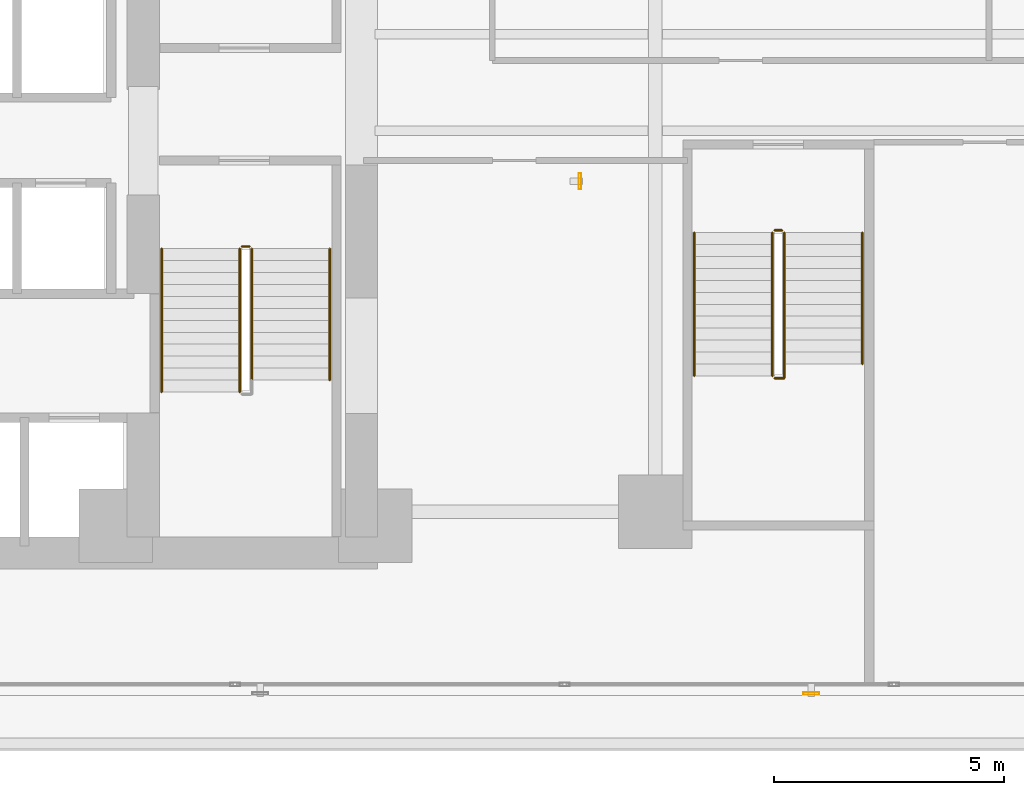
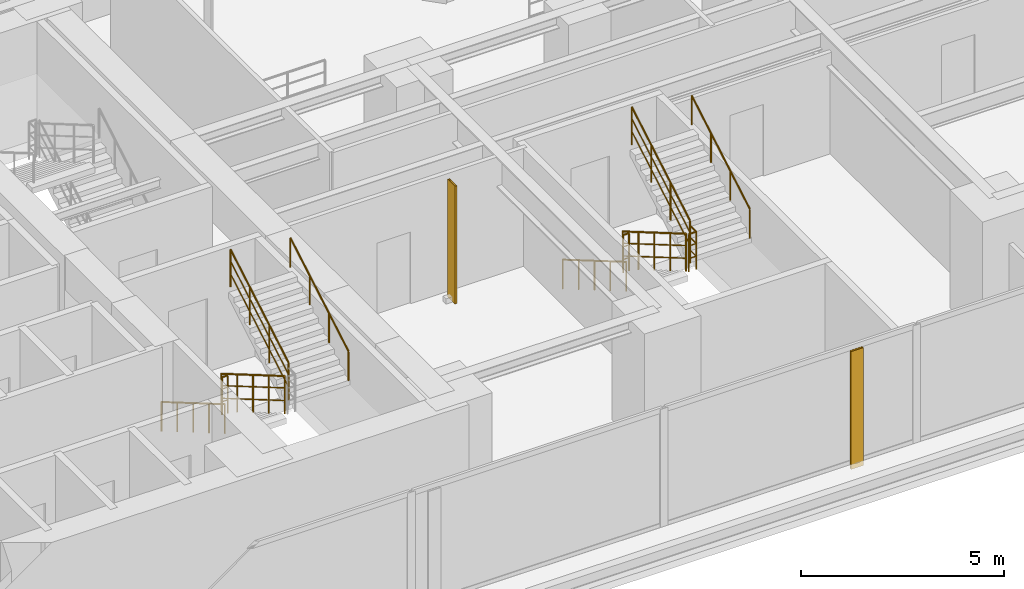
# One storey, part 27 of 29: 11 railings, 2 shading devices.
"""IFC4 building model written with IfcOpenShell, lengths in metres."""

import ifcopenshell
import ifcopenshell.guid

model = None  # the IFC model being written
_history = None  # IfcOwnerHistory: only IFC2X3 demands one
_inside = {}  # id of a spatial element -> (the spatial element, [elements in it])
_under = {}  # id of a project, library or spatial element -> (it, [spatial elements below it])
_declared = {}  # id of a project -> (the project, [libraries it declares])
_typed = {}  # id of a type object -> (the type object, [elements of that type])
_made_of = {}  # id of a material, layer set ... -> (it, [elements and type objects made of it])


def new_model(schema):
    """Start an empty IFC model of exactly this schema.

    Asked for "IFC4X3", IfcOpenShell would pick the latest addendum, in which some entities
    have other attributes; the version numbers below select the first issue.
    IFC2X3 requires an IfcOwnerHistory on every rooted entity: one is made here for all.
    """
    global model, _history
    if schema == "IFC4X3":
        model = ifcopenshell.file(schema_version=(4, 3, 0, 0))
    else:
        model = ifcopenshell.file(schema=schema)
    _inside.clear()
    _under.clear()
    _declared.clear()
    _typed.clear()
    _made_of.clear()
    _history = None
    if model.schema == "IFC2X3":
        org = make("IfcOrganization", Name="unknown")
        user = make(
            "IfcPersonAndOrganization",
            ThePerson=make("IfcPerson", FamilyName="unknown"),
            TheOrganization=org,
        )
        app = make(
            "IfcApplication",
            ApplicationDeveloper=org,
            Version="unknown",
            ApplicationFullName="unknown",
            ApplicationIdentifier="unknown",
        )
        _history = make(
            "IfcOwnerHistory",
            OwningUser=user,
            OwningApplication=app,
            ChangeAction="ADDED",
            CreationDate=0,
        )
    return model


def make(cls, **values):
    """One entity of the class cls with the attributes given. An attribute that is None is left unset."""
    return model.create_entity(
        cls, **{name: value for name, value in values.items() if value is not None}
    )


def rooted(cls, **values):
    """An entity with a GlobalId (a new one), such as an element, a storey or a relation."""
    return make(cls, GlobalId=ifcopenshell.guid.new(), OwnerHistory=_history, **values)


def si_unit(unit_type, name, prefix=None):
    """IfcSIUnit, for example si_unit("LENGTHUNIT", "METRE", prefix="MILLI")."""
    return make("IfcSIUnit", UnitType=unit_type, Prefix=prefix, Name=name)


def assignment(units):
    """IfcUnitAssignment: the units of a project."""
    return None if units is None else make("IfcUnitAssignment", Units=units)


def point(xyz):
    """IfcCartesianPoint."""
    return None if xyz is None else make("IfcCartesianPoint", Coordinates=xyz)


def direction(xyz):
    """IfcDirection."""
    return None if xyz is None else make("IfcDirection", DirectionRatios=xyz)


def frame(location, z_axis=None, x_axis=None):
    """IfcAxis2Placement3D, a coordinate frame: its origin and axes. An axis left out is left unset."""
    return make(
        "IfcAxis2Placement3D",
        Location=point(location),
        Axis=direction(z_axis),
        RefDirection=direction(x_axis),
    )


def frame_2d(location, x_axis=None):
    """IfcAxis2Placement2D, a coordinate frame in the plane: its origin and x axis."""
    return make(
        "IfcAxis2Placement2D", Location=point(location), RefDirection=direction(x_axis)
    )


def origin():
    """The frame at (0, 0, 0) with its axes left unset."""
    return frame((0.0, 0.0, 0.0))


def origin_2d():
    """The frame at (0, 0) in the plane with its x axis left unset."""
    return frame_2d((0.0, 0.0))


def place(relative_to, where):
    """IfcLocalPlacement: puts the frame where relative to a parent placement (None: the world)."""
    return make(
        "IfcLocalPlacement", PlacementRelTo=relative_to, RelativePlacement=where
    )


def context(
    kind, dimensions, precision=None, world=None, true_north=None, identifier=None
):
    """IfcGeometricRepresentationContext, for example the 3D "Model" context."""
    return make(
        "IfcGeometricRepresentationContext",
        ContextIdentifier=identifier,
        ContextType=kind,
        CoordinateSpaceDimension=dimensions,
        Precision=precision,
        WorldCoordinateSystem=world,
        TrueNorth=true_north,
    )


def subcontext(parent, identifier, kind, view, scale=None):
    """IfcGeometricRepresentationSubContext, for example "Body" below "Model"."""
    return make(
        "IfcGeometricRepresentationSubContext",
        ContextIdentifier=identifier,
        ContextType=kind,
        ParentContext=parent,
        TargetScale=scale,
        TargetView=view,
    )


def project(units=None, contexts=None):
    """IfcProject with its units and contexts."""
    return rooted(
        "IfcProject",
        Name="project",
        RepresentationContexts=contexts,
        UnitsInContext=assignment(units),
    )


def spatial(cls, under=None, at=None, **own):
    """A site, building, storey or space (cls), placed at a placement, below another one or the project."""
    s = rooted(cls, ObjectPlacement=at, **own)
    if under is not None:
        _under.setdefault(under.id(), (under, []))[1].append(s)
    return s


def profile(cls, at=None, kind="AREA", **sizes):
    """A parametric profile (cls). Its sizes go by their IFC names, for example OverallWidth=200.0."""
    return make(cls, ProfileType=kind, Position=at, **sizes)


def hollow_rectangle(**sizes):
    """IfcRectangleHollowProfileDef."""
    return profile("IfcRectangleHollowProfileDef", **sizes)


def circle(**sizes):
    """IfcCircleProfileDef."""
    return profile("IfcCircleProfileDef", **sizes)


def extrude(swept, where, along, depth):
    """IfcExtrudedAreaSolid: the profile swept, set in the frame where, extruded along a direction by depth."""
    return make(
        "IfcExtrudedAreaSolid",
        SweptArea=swept,
        Position=where,
        ExtrudedDirection=direction(along),
        Depth=depth,
    )


def shape(context_of_items, identifier, shape_type, items):
    """IfcShapeRepresentation: the items that make up one representation, for example the "Body"."""
    return make(
        "IfcShapeRepresentation",
        ContextOfItems=context_of_items,
        RepresentationIdentifier=identifier,
        RepresentationType=shape_type,
        Items=items,
    )


def material(Name=None, Category=None):
    """IfcMaterial."""
    return make("IfcMaterial", Name=Name, Category=Category)


def material_profile(
    of_material, cross_section, Name=None, Category=None, Priority=None
):
    """IfcMaterialProfile: a cross section and its material."""
    return make(
        "IfcMaterialProfile",
        Name=Name,
        Material=of_material,
        Profile=cross_section,
        Priority=Priority,
        Category=Category,
    )


def profile_set(profiles, Name=None, composite=None):
    """IfcMaterialProfileSet."""
    return make(
        "IfcMaterialProfileSet",
        Name=Name,
        MaterialProfiles=profiles,
        CompositeProfile=composite,
    )


def made_of(thing, what):
    """Note that an element or type object is made of a material, layer set ...; save() writes the relation."""
    if what is not None:
        _made_of.setdefault(what.id(), (what, []))[1].append(thing)
    return thing


def type_object(cls, material=None, **own):
    """A type object (cls), such as IfcWallType, which elements share."""
    return made_of(rooted(cls, **own), material)


def element(
    cls,
    number,
    at=None,
    inside=None,
    cuts=None,
    type_object=None,
    material=None,
    context=None,
    identifier="Body",
    shape_type=None,
    held_by="IfcProductDefinitionShape",
    body=None,
    shapes=None,
    **own,
):
    """One element of the class cls, such as IfcWall. Its Tag is "e" and its number.

    at: its placement. inside: the storey or other place that contains it. cuts: it is an
    opening in that element (IfcRelVoidsElement). A single representation is given by context,
    identifier, shape_type and body (its items); several are given by shapes. held_by: the class
    of the entity that holds the representations. save() writes the other relations.
    """
    e = rooted(cls, Tag="e%d" % number, ObjectPlacement=at, **own)
    if body is not None:
        shapes = [shape(context, identifier, shape_type, body)]
    if shapes is not None:
        e.Representation = make(held_by, Representations=shapes)
    if inside is not None:
        _inside.setdefault(inside.id(), (inside, []))[1].append(e)
    if cuts is not None:
        rooted(
            "IfcRelVoidsElement", RelatingBuildingElement=cuts, RelatedOpeningElement=e
        )
    if type_object is not None:
        _typed.setdefault(type_object.id(), (type_object, []))[1].append(e)
    return made_of(e, material)


def aggregate(whole, parts):
    """IfcRelAggregates: a whole, such as a stair, and the parts it consists of."""
    return rooted("IfcRelAggregates", RelatingObject=whole, RelatedObjects=parts)


def save(model, path):
    """Write the relations noted so far, then the file.

    IfcRelAggregates (storeys below a building ...), IfcRelContainedInSpatialStructure (elements
    in a storey), IfcRelDefinesByType, IfcRelAssociatesMaterial and IfcRelDeclares: one each for
    every whole, place, type object, material and project.
    """
    for whole, parts in _under.values():
        aggregate(whole, parts)
    for where, things in _inside.values():
        rooted(
            "IfcRelContainedInSpatialStructure",
            RelatedElements=things,
            RelatingStructure=where,
        )
    for kind, things in _typed.values():
        rooted("IfcRelDefinesByType", RelatedObjects=things, RelatingType=kind)
    for what, things in _made_of.values():
        rooted("IfcRelAssociatesMaterial", RelatedObjects=things, RelatingMaterial=what)
    for by, libraries in _declared.values():
        rooted("IfcRelDeclares", RelatingContext=by, RelatedDefinitions=libraries)
    model.write(path)


model = new_model("IFC4")

# Units and contexts
model_context = context("Model", 3, precision=1e-05, world=origin(), true_north=direction((0.0, 1.0)))
body_context = subcontext(model_context, "Body", "Model", "MODEL_VIEW")
ifc_project = project(units=[si_unit("LENGTHUNIT", "METRE"), si_unit("AREAUNIT", "SQUARE_METRE"), si_unit("VOLUMEUNIT", "CUBIC_METRE"), si_unit("PLANEANGLEUNIT", "RADIAN"), si_unit("MASSUNIT", "GRAM", prefix="KILO")], contexts=[model_context])

# Site, building, storey
site_placement = place(None, origin())
site = spatial("IfcSite", under=ifc_project, at=site_placement, CompositionType="ELEMENT")
building_placement = place(site_placement, origin())
building = spatial("IfcBuilding", under=site, at=building_placement, Name="Kolvaren Waterfront Exchange", CompositionType="ELEMENT")
storey_placement = place(building_placement, frame((0.0, 0.0, 29.60009765625)))
storey = spatial("IfcBuildingStorey", under=building, at=storey_placement, Name="L07", CompositionType="ELEMENT", Elevation=29.60009765625)

# Shading devices
ifc_material_1 = material(Name="Anodised bronze aluminium 6063-T6", Category="aluminium")
ifc_material_profile = material_profile(ifc_material_1, hollow_rectangle(XDim=0.06005859375, YDim=0.35009765625, WallThickness=0.0048828125, at=origin_2d()), Name="BRZ-FIN-350x60x5")
ifc_profile_set = profile_set([ifc_material_profile], Name="Anodised bronze aluminium 6063-T6")
shading_device_type = type_object("IfcShadingDeviceType", Name="ARC-FIN-350", PredefinedType="USERDEFINED", material=ifc_profile_set)
for number, where, z_axis, x_axis, name in (
    (1, (30.60009765625, 1.239990234375, 0.0), (0.0, 0.0, 1.0), (0.0, -1.0, 0.0), "L07 anodised bronze solar shading fin FIN-L07-S3"),
    (2, (25.56005859375, 12.39990234375, 0.0), (0.0, 0.0, 1.0), (1.0, 0.0, 0.0), "L07 anodised bronze solar shading fin FIN-L07-E1"),
):
    element("IfcShadingDevice", number, at=place(storey_placement, frame(where, z_axis=z_axis, x_axis=x_axis)), inside=storey, type_object=shading_device_type, Name=name, ObjectType="SOLAR FIN", PredefinedType="USERDEFINED", context=body_context, shape_type="SweptSolid", body=[
        extrude(hollow_rectangle(XDim=0.06005859375, YDim=0.35009765625, WallThickness=0.0048828125, at=origin_2d()), origin(), (0.0, 0.0, 1.0), 3.539794921875),
    ])

# Railings
ifc_material_2 = material(Name="Stainless steel 316", Category="steel")
railing_type_1 = type_object("IfcRailingType", Name="ARC-GUARD-STAIR", PredefinedType="GUARDRAIL", material=ifc_material_2)
railing_1_placement = place(storey_placement, frame((18.14990234375, 10.929931640625, 0.15185546875)))
element("IfcRailing", 3, at=railing_1_placement, inside=storey, type_object=railing_type_1, Name="L07 ST1 stair guard 1", PredefinedType="GUARDRAIL", context=body_context, shape_type="SweptSolid", body=[
    extrude(circle(Radius=0.02392578125, at=origin_2d()), frame((0.0, 0.0, 1.1259765625), z_axis=(0.0, -0.86329090724, 0.504706656858), x_axis=(1.0, 0.0, 0.0)), (0.0, 0.0, 1.0), 3.614013671875),
    extrude(circle(Radius=0.01611328125, at=origin_2d()), frame((0.0, 0.0, 0.390869140625), z_axis=(0.0, -0.86329090724, 0.504706656858), x_axis=(1.0, 0.0, 0.0)), (0.0, 0.0, 1.0), 3.614013671875),
    extrude(circle(Radius=0.01611328125, at=origin_2d()), frame((0.0, 0.0, 0.7705078125), z_axis=(0.0, -0.86329090724, 0.504706656858), x_axis=(1.0, 0.0, 0.0)), (0.0, 0.0, 1.0), 3.614013671875),
    extrude(circle(Radius=0.02099609375, at=origin_2d()), origin(), (0.0, 0.0, 1.0), 1.101806640625),
    extrude(circle(Radius=0.02099609375, at=origin_2d()), frame((0.0, -0.780029296875, 0.4560546875)), (0.0, 0.0, 1.0), 1.101806640625),
    extrude(circle(Radius=0.02099609375, at=origin_2d()), frame((0.0, -1.56005859375, 0.912109375)), (0.0, 0.0, 1.0), 1.101806640625),
    extrude(circle(Radius=0.02099609375, at=origin_2d()), frame((0.0, -2.33984375, 1.367919921875)), (0.0, 0.0, 1.0), 1.101806640625),
    extrude(circle(Radius=0.02099609375, at=origin_2d()), frame((0.0, -3.119873046875, 1.823974609375)), (0.0, 0.0, 1.0), 1.101806640625),
])
railing_2_placement = place(storey_placement, frame((18.409912109375, 8.070068359375, 2.1279296875)))
element("IfcRailing", 4, at=railing_2_placement, inside=storey, type_object=railing_type_1, Name="L07 ST1 stair guard 3", PredefinedType="GUARDRAIL", context=body_context, shape_type="SweptSolid", body=[
    extrude(circle(Radius=0.02392578125, at=origin_2d()), frame((0.0, 0.0, 1.1259765625), z_axis=(0.0, 0.86330272217, 0.504686447108), x_axis=(-1.0, 0.0, 0.0)), (0.0, 0.0, 1.0), 3.312744140625),
    extrude(circle(Radius=0.01611328125, at=origin_2d()), frame((0.0, 0.0, 0.390869140625), z_axis=(0.0, 0.86330272217, 0.504686447108), x_axis=(-1.0, 0.0, 0.0)), (0.0, 0.0, 1.0), 3.312744140625),
    extrude(circle(Radius=0.01611328125, at=origin_2d()), frame((0.0, 0.0, 0.7705078125), z_axis=(0.0, 0.86330272217, 0.504686447108), x_axis=(-1.0, 0.0, 0.0)), (0.0, 0.0, 1.0), 3.312744140625),
    extrude(circle(Radius=0.02099609375, at=origin_2d()), origin(), (0.0, 0.0, 1.0), 1.101806640625),
    extrude(circle(Radius=0.02099609375, at=origin_2d()), frame((0.0, 0.953369140625, 0.557373046875)), (0.0, 0.0, 1.0), 1.101806640625),
    extrude(circle(Radius=0.02099609375, at=origin_2d()), frame((0.0, 1.906494140625, 1.114501953125)), (0.0, 0.0, 1.0), 1.101806640625),
    extrude(circle(Radius=0.02099609375, at=origin_2d()), frame((0.0, 2.85986328125, 1.671875)), (0.0, 0.0, 1.0), 1.101806640625),
])
railing_3_placement = place(storey_placement, frame((18.199951171875, 10.97998046875, 0.0)))
element("IfcRailing", 5, at=railing_3_placement, inside=storey, type_object=railing_type_1, Name="L07 ST1 stair guard 4", PredefinedType="GUARDRAIL", context=body_context, shape_type="SweptSolid", body=[
    extrude(circle(Radius=0.02392578125, at=origin_2d()), frame((0.0, 0.0, 1.1259765625), z_axis=(1.0, 0.0, 0.0), x_axis=(0.0, 1.0, 0.0)), (0.0, 0.0, 1.0), 0.16015625),
    extrude(circle(Radius=0.01611328125, at=origin_2d()), frame((0.0, 0.0, 0.390869140625), z_axis=(1.0, 0.0, 0.0), x_axis=(0.0, 1.0, 0.0)), (0.0, 0.0, 1.0), 0.16015625),
    extrude(circle(Radius=0.01611328125, at=origin_2d()), frame((0.0, 0.0, 0.7705078125), z_axis=(1.0, 0.0, 0.0), x_axis=(0.0, 1.0, 0.0)), (0.0, 0.0, 1.0), 0.16015625),
    extrude(circle(Radius=0.02099609375, at=origin_2d()), origin(), (0.0, 0.0, 1.0), 1.101806640625),
    extrude(circle(Radius=0.02099609375, at=origin_2d()), frame((0.16015625, 0.0, 0.0)), (0.0, 0.0, 1.0), 1.101806640625),
])
railing_4_placement = place(storey_placement, frame((29.75, 11.280029296875, 0.15185546875)))
element("IfcRailing", 6, at=railing_4_placement, inside=storey, type_object=railing_type_1, Name="L07 ST3 stair guard 1", PredefinedType="GUARDRAIL", context=body_context, shape_type="SweptSolid", body=[
    extrude(circle(Radius=0.02392578125, at=origin_2d()), frame((0.0, 0.0, 1.1259765625), z_axis=(0.0, -0.86330811405, 0.504677223793), x_axis=(1.0, 0.0, 0.0)), (0.0, 0.0, 1.0), 3.6142578125),
    extrude(circle(Radius=0.01611328125, at=origin_2d()), frame((0.0, 0.0, 0.390869140625), z_axis=(0.0, -0.86330811405, 0.504677223793), x_axis=(1.0, 0.0, 0.0)), (0.0, 0.0, 1.0), 3.6142578125),
    extrude(circle(Radius=0.01611328125, at=origin_2d()), frame((0.0, 0.0, 0.7705078125), z_axis=(0.0, -0.86330811405, 0.504677223793), x_axis=(1.0, 0.0, 0.0)), (0.0, 0.0, 1.0), 3.6142578125),
    extrude(circle(Radius=0.02099609375, at=origin_2d()), origin(), (0.0, 0.0, 1.0), 1.101806640625),
    extrude(circle(Radius=0.02099609375, at=origin_2d()), frame((0.0, -0.780029296875, 0.4560546875)), (0.0, 0.0, 1.0), 1.101806640625),
    extrude(circle(Radius=0.02099609375, at=origin_2d()), frame((0.0, -1.56005859375, 0.912109375)), (0.0, 0.0, 1.0), 1.101806640625),
    extrude(circle(Radius=0.02099609375, at=origin_2d()), frame((0.0, -2.340087890625, 1.367919921875)), (0.0, 0.0, 1.0), 1.101806640625),
    extrude(circle(Radius=0.02099609375, at=origin_2d()), frame((0.0, -3.1201171875, 1.823974609375)), (0.0, 0.0, 1.0), 1.101806640625),
])
railing_5_placement = place(storey_placement, frame((29.800048828125, 8.110107421875, 1.975830078125)))
element("IfcRailing", 7, at=railing_5_placement, inside=storey, type_object=railing_type_1, Name="L07 ST3 stair guard 2", PredefinedType="GUARDRAIL", context=body_context, shape_type="SweptSolid", body=[
    extrude(circle(Radius=0.02392578125, at=origin_2d()), frame((0.0, 0.0, 1.1259765625), z_axis=(1.0, 0.0, 0.0), x_axis=(0.0, 1.0, 0.0)), (0.0, 0.0, 1.0), 0.2099609375),
    extrude(circle(Radius=0.01611328125, at=origin_2d()), frame((0.0, 0.0, 0.390869140625), z_axis=(1.0, 0.0, 0.0), x_axis=(0.0, 1.0, 0.0)), (0.0, 0.0, 1.0), 0.2099609375),
    extrude(circle(Radius=0.01611328125, at=origin_2d()), frame((0.0, 0.0, 0.7705078125), z_axis=(1.0, 0.0, 0.0), x_axis=(0.0, 1.0, 0.0)), (0.0, 0.0, 1.0), 0.2099609375),
    extrude(circle(Radius=0.02392578125, at=origin_2d()), frame((0.2099609375, 0.0, 1.1259765625), z_axis=(0.0, 1.0, 0.0), x_axis=(-1.0, 0.0, 0.0)), (0.0, 0.0, 1.0), 0.309814453125),
    extrude(circle(Radius=0.01611328125, at=origin_2d()), frame((0.2099609375, 0.0, 0.390869140625), z_axis=(0.0, 1.0, 0.0), x_axis=(-1.0, 0.0, 0.0)), (0.0, 0.0, 1.0), 0.309814453125),
    extrude(circle(Radius=0.01611328125, at=origin_2d()), frame((0.2099609375, 0.0, 0.7705078125), z_axis=(0.0, 1.0, 0.0), x_axis=(-1.0, 0.0, 0.0)), (0.0, 0.0, 1.0), 0.309814453125),
    extrude(circle(Radius=0.02099609375, at=origin_2d()), origin(), (0.0, 0.0, 1.0), 1.101806640625),
    extrude(circle(Radius=0.02099609375, at=origin_2d()), frame((0.2099609375, 0.0, 0.0)), (0.0, 0.0, 1.0), 1.101806640625),
    extrude(circle(Radius=0.02099609375, at=origin_2d()), frame((0.2099609375, 0.309814453125, 0.0)), (0.0, 0.0, 1.0), 1.101806640625),
])
railing_6_placement = place(storey_placement, frame((30.010009765625, 8.419921875, 2.1279296875)))
element("IfcRailing", 8, at=railing_6_placement, inside=storey, type_object=railing_type_1, Name="L07 ST3 stair guard 3", PredefinedType="GUARDRAIL", context=body_context, shape_type="SweptSolid", body=[
    extrude(circle(Radius=0.02392578125, at=origin_2d()), frame((0.0, 0.0, 1.1259765625), z_axis=(0.0, 0.863321491973, 0.504654338629), x_axis=(-1.0, 0.0, 0.0)), (0.0, 0.0, 1.0), 3.31298828125),
    extrude(circle(Radius=0.01611328125, at=origin_2d()), frame((0.0, 0.0, 0.390869140625), z_axis=(0.0, 0.863321491973, 0.504654338629), x_axis=(-1.0, 0.0, 0.0)), (0.0, 0.0, 1.0), 3.31298828125),
    extrude(circle(Radius=0.01611328125, at=origin_2d()), frame((0.0, 0.0, 0.7705078125), z_axis=(0.0, 0.863321491973, 0.504654338629), x_axis=(-1.0, 0.0, 0.0)), (0.0, 0.0, 1.0), 3.31298828125),
    extrude(circle(Radius=0.02099609375, at=origin_2d()), origin(), (0.0, 0.0, 1.0), 1.101806640625),
    extrude(circle(Radius=0.02099609375, at=origin_2d()), frame((0.0, 0.953369140625, 0.557373046875)), (0.0, 0.0, 1.0), 1.101806640625),
    extrude(circle(Radius=0.02099609375, at=origin_2d()), frame((0.0, 1.90673828125, 1.114501953125)), (0.0, 0.0, 1.0), 1.101806640625),
    extrude(circle(Radius=0.02099609375, at=origin_2d()), frame((0.0, 2.860107421875, 1.671875)), (0.0, 0.0, 1.0), 1.101806640625),
])
railing_7_placement = place(storey_placement, frame((29.800048828125, 11.330078125, 0.0)))
element("IfcRailing", 9, at=railing_7_placement, inside=storey, type_object=railing_type_1, Name="L07 ST3 stair guard 4", PredefinedType="GUARDRAIL", context=body_context, shape_type="SweptSolid", body=[
    extrude(circle(Radius=0.02392578125, at=origin_2d()), frame((0.0, 0.0, 1.1259765625), z_axis=(1.0, 0.0, 0.0), x_axis=(0.0, 1.0, 0.0)), (0.0, 0.0, 1.0), 0.159912109375),
    extrude(circle(Radius=0.01611328125, at=origin_2d()), frame((0.0, 0.0, 0.390869140625), z_axis=(1.0, 0.0, 0.0), x_axis=(0.0, 1.0, 0.0)), (0.0, 0.0, 1.0), 0.159912109375),
    extrude(circle(Radius=0.01611328125, at=origin_2d()), frame((0.0, 0.0, 0.7705078125), z_axis=(1.0, 0.0, 0.0), x_axis=(0.0, 1.0, 0.0)), (0.0, 0.0, 1.0), 0.159912109375),
    extrude(circle(Radius=0.02099609375, at=origin_2d()), origin(), (0.0, 0.0, 1.0), 1.101806640625),
    extrude(circle(Radius=0.02099609375, at=origin_2d()), frame((0.159912109375, 0.0, 0.0)), (0.0, 0.0, 1.0), 1.101806640625),
])
railing_type_2 = type_object("IfcRailingType", Name="ARC-HANDRAIL-900", PredefinedType="HANDRAIL", material=ifc_material_2)
railing_8_placement = place(storey_placement, frame((16.449951171875, 10.929931640625, 0.15185546875)))
element("IfcRailing", 10, at=railing_8_placement, inside=storey, type_object=railing_type_2, Name="L07 ST1 stair handrail 1", PredefinedType="HANDRAIL", context=body_context, shape_type="SweptSolid", body=[
    extrude(circle(Radius=0.02392578125, at=origin_2d()), frame((0.0, 0.0, 0.8759765625), z_axis=(0.0, -0.86329090724, 0.504706656858), x_axis=(1.0, 0.0, 0.0)), (0.0, 0.0, 1.0), 3.614013671875),
    extrude(circle(Radius=0.02099609375, at=origin_2d()), origin(), (0.0, 0.0, 1.0), 0.851806640625),
    extrude(circle(Radius=0.02099609375, at=origin_2d()), frame((0.0, -0.780029296875, 0.4560546875)), (0.0, 0.0, 1.0), 0.851806640625),
    extrude(circle(Radius=0.02099609375, at=origin_2d()), frame((0.0, -1.56005859375, 0.912109375)), (0.0, 0.0, 1.0), 0.851806640625),
    extrude(circle(Radius=0.02099609375, at=origin_2d()), frame((0.0, -2.33984375, 1.367919921875)), (0.0, 0.0, 1.0), 0.851806640625),
    extrude(circle(Radius=0.02099609375, at=origin_2d()), frame((0.0, -3.119873046875, 1.823974609375)), (0.0, 0.0, 1.0), 0.851806640625),
])
railing_9_placement = place(storey_placement, frame((20.110107421875, 8.070068359375, 2.1279296875)))
element("IfcRailing", 11, at=railing_9_placement, inside=storey, type_object=railing_type_2, Name="L07 ST1 stair handrail 2", PredefinedType="HANDRAIL", context=body_context, shape_type="SweptSolid", body=[
    extrude(circle(Radius=0.02392578125, at=origin_2d()), frame((0.0, 0.0, 0.8759765625), z_axis=(0.0, 0.86330272217, 0.504686447108), x_axis=(-1.0, 0.0, 0.0)), (0.0, 0.0, 1.0), 3.312744140625),
    extrude(circle(Radius=0.02099609375, at=origin_2d()), origin(), (0.0, 0.0, 1.0), 0.851806640625),
    extrude(circle(Radius=0.02099609375, at=origin_2d()), frame((0.0, 0.953369140625, 0.557373046875)), (0.0, 0.0, 1.0), 0.851806640625),
    extrude(circle(Radius=0.02099609375, at=origin_2d()), frame((0.0, 1.906494140625, 1.114501953125)), (0.0, 0.0, 1.0), 0.851806640625),
    extrude(circle(Radius=0.02099609375, at=origin_2d()), frame((0.0, 2.85986328125, 1.671875)), (0.0, 0.0, 1.0), 0.851806640625),
])
railing_10_placement = place(storey_placement, frame((28.050048828125, 11.280029296875, 0.15185546875)))
element("IfcRailing", 12, at=railing_10_placement, inside=storey, type_object=railing_type_2, Name="L07 ST3 stair handrail 1", PredefinedType="HANDRAIL", context=body_context, shape_type="SweptSolid", body=[
    extrude(circle(Radius=0.02392578125, at=origin_2d()), frame((0.0, 0.0, 0.8759765625), z_axis=(0.0, -0.86330811405, 0.504677223793), x_axis=(1.0, 0.0, 0.0)), (0.0, 0.0, 1.0), 3.6142578125),
    extrude(circle(Radius=0.02099609375, at=origin_2d()), origin(), (0.0, 0.0, 1.0), 0.851806640625),
    extrude(circle(Radius=0.02099609375, at=origin_2d()), frame((0.0, -0.780029296875, 0.4560546875)), (0.0, 0.0, 1.0), 0.851806640625),
    extrude(circle(Radius=0.02099609375, at=origin_2d()), frame((0.0, -1.56005859375, 0.912109375)), (0.0, 0.0, 1.0), 0.851806640625),
    extrude(circle(Radius=0.02099609375, at=origin_2d()), frame((0.0, -2.340087890625, 1.367919921875)), (0.0, 0.0, 1.0), 0.851806640625),
    extrude(circle(Radius=0.02099609375, at=origin_2d()), frame((0.0, -3.1201171875, 1.823974609375)), (0.0, 0.0, 1.0), 0.851806640625),
])
railing_11_placement = place(storey_placement, frame((31.7099609375, 8.419921875, 2.1279296875)))
element("IfcRailing", 13, at=railing_11_placement, inside=storey, type_object=railing_type_2, Name="L07 ST3 stair handrail 2", PredefinedType="HANDRAIL", context=body_context, shape_type="SweptSolid", body=[
    extrude(circle(Radius=0.02392578125, at=origin_2d()), frame((0.0, 0.0, 0.8759765625), z_axis=(0.0, 0.863321491973, 0.504654338629), x_axis=(-1.0, 0.0, 0.0)), (0.0, 0.0, 1.0), 3.31298828125),
    extrude(circle(Radius=0.02099609375, at=origin_2d()), origin(), (0.0, 0.0, 1.0), 0.851806640625),
    extrude(circle(Radius=0.02099609375, at=origin_2d()), frame((0.0, 0.953369140625, 0.557373046875)), (0.0, 0.0, 1.0), 0.851806640625),
    extrude(circle(Radius=0.02099609375, at=origin_2d()), frame((0.0, 1.90673828125, 1.114501953125)), (0.0, 0.0, 1.0), 0.851806640625),
    extrude(circle(Radius=0.02099609375, at=origin_2d()), frame((0.0, 2.860107421875, 1.671875)), (0.0, 0.0, 1.0), 0.851806640625),
])

save(model, "model.ifc")
